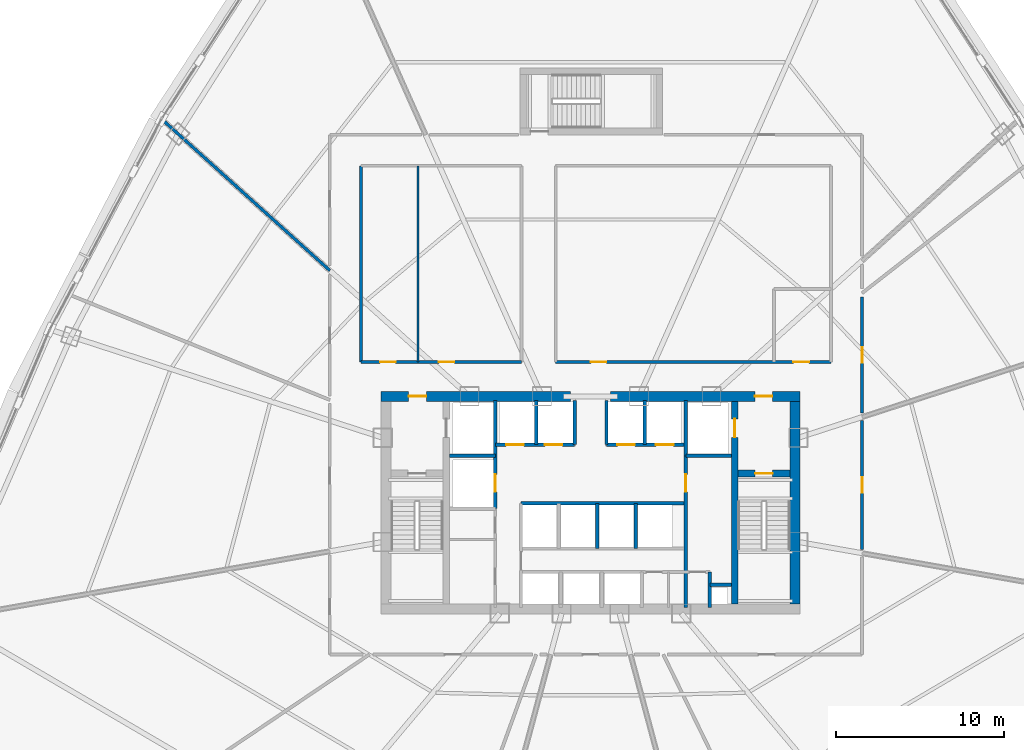
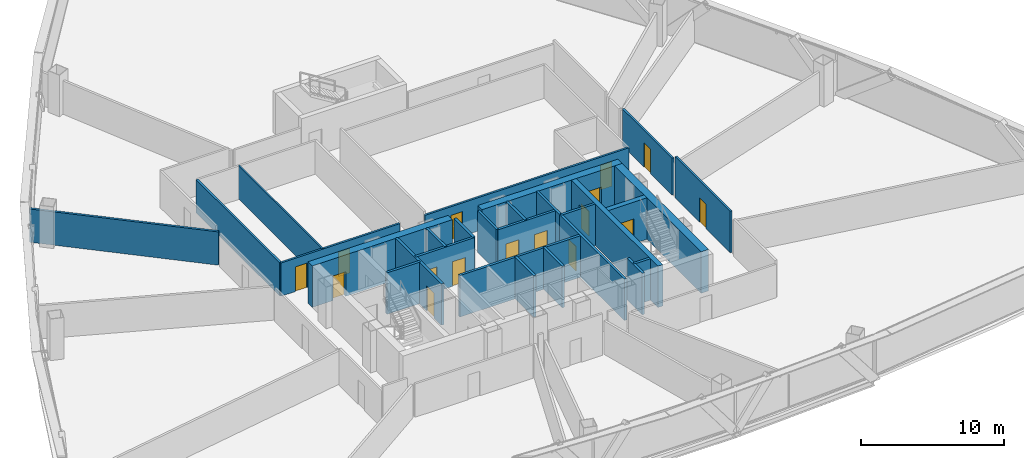
# One storey, part 35 of 41: 28 walls, 16 doors, 16 openings.
"""IFC4 building model written with IfcOpenShell, lengths in metres."""

import ifcopenshell
import ifcopenshell.guid

model = None  # the IFC model being written
_history = None  # IfcOwnerHistory: only IFC2X3 demands one
_inside = {}  # id of a spatial element -> (the spatial element, [elements in it])
_under = {}  # id of a project, library or spatial element -> (it, [spatial elements below it])
_declared = {}  # id of a project -> (the project, [libraries it declares])
_typed = {}  # id of a type object -> (the type object, [elements of that type])
_made_of = {}  # id of a material, layer set ... -> (it, [elements and type objects made of it])


def new_model(schema):
    """Start an empty IFC model of exactly this schema.

    Asked for "IFC4X3", IfcOpenShell would pick the latest addendum, in which some entities
    have other attributes; the version numbers below select the first issue.
    IFC2X3 requires an IfcOwnerHistory on every rooted entity: one is made here for all.
    """
    global model, _history
    if schema == "IFC4X3":
        model = ifcopenshell.file(schema_version=(4, 3, 0, 0))
    else:
        model = ifcopenshell.file(schema=schema)
    _inside.clear()
    _under.clear()
    _declared.clear()
    _typed.clear()
    _made_of.clear()
    _history = None
    if model.schema == "IFC2X3":
        org = make("IfcOrganization", Name="unknown")
        user = make(
            "IfcPersonAndOrganization",
            ThePerson=make("IfcPerson", FamilyName="unknown"),
            TheOrganization=org,
        )
        app = make(
            "IfcApplication",
            ApplicationDeveloper=org,
            Version="unknown",
            ApplicationFullName="unknown",
            ApplicationIdentifier="unknown",
        )
        _history = make(
            "IfcOwnerHistory",
            OwningUser=user,
            OwningApplication=app,
            ChangeAction="ADDED",
            CreationDate=0,
        )
    return model


def make(cls, **values):
    """One entity of the class cls with the attributes given. An attribute that is None is left unset."""
    return model.create_entity(
        cls, **{name: value for name, value in values.items() if value is not None}
    )


def rooted(cls, **values):
    """An entity with a GlobalId (a new one), such as an element, a storey or a relation."""
    return make(cls, GlobalId=ifcopenshell.guid.new(), OwnerHistory=_history, **values)


def si_unit(unit_type, name, prefix=None):
    """IfcSIUnit, for example si_unit("LENGTHUNIT", "METRE", prefix="MILLI")."""
    return make("IfcSIUnit", UnitType=unit_type, Prefix=prefix, Name=name)


def assignment(units):
    """IfcUnitAssignment: the units of a project."""
    return None if units is None else make("IfcUnitAssignment", Units=units)


def point(xyz):
    """IfcCartesianPoint."""
    return None if xyz is None else make("IfcCartesianPoint", Coordinates=xyz)


def direction(xyz):
    """IfcDirection."""
    return None if xyz is None else make("IfcDirection", DirectionRatios=xyz)


def frame(location, z_axis=None, x_axis=None):
    """IfcAxis2Placement3D, a coordinate frame: its origin and axes. An axis left out is left unset."""
    return make(
        "IfcAxis2Placement3D",
        Location=point(location),
        Axis=direction(z_axis),
        RefDirection=direction(x_axis),
    )


def frame_2d(location, x_axis=None):
    """IfcAxis2Placement2D, a coordinate frame in the plane: its origin and x axis."""
    return make(
        "IfcAxis2Placement2D", Location=point(location), RefDirection=direction(x_axis)
    )


def origin():
    """The frame at (0, 0, 0) with its axes left unset."""
    return frame((0.0, 0.0, 0.0))


def origin_with_axes():
    """The frame at (0, 0, 0) with the z axis (0, 0, 1) and the x axis (1, 0, 0) written out."""
    return frame((0.0, 0.0, 0.0), z_axis=(0.0, 0.0, 1.0), x_axis=(1.0, 0.0, 0.0))


def place(relative_to, where):
    """IfcLocalPlacement: puts the frame where relative to a parent placement (None: the world)."""
    return make(
        "IfcLocalPlacement", PlacementRelTo=relative_to, RelativePlacement=where
    )


def context(
    kind, dimensions, precision=None, world=None, true_north=None, identifier=None
):
    """IfcGeometricRepresentationContext, for example the 3D "Model" context."""
    return make(
        "IfcGeometricRepresentationContext",
        ContextIdentifier=identifier,
        ContextType=kind,
        CoordinateSpaceDimension=dimensions,
        Precision=precision,
        WorldCoordinateSystem=world,
        TrueNorth=true_north,
    )


def subcontext(parent, identifier, kind, view, scale=None):
    """IfcGeometricRepresentationSubContext, for example "Body" below "Model"."""
    return make(
        "IfcGeometricRepresentationSubContext",
        ContextIdentifier=identifier,
        ContextType=kind,
        ParentContext=parent,
        TargetScale=scale,
        TargetView=view,
    )


def project(units=None, contexts=None):
    """IfcProject with its units and contexts."""
    return rooted(
        "IfcProject",
        Name="project",
        RepresentationContexts=contexts,
        UnitsInContext=assignment(units),
    )


def spatial(cls, under=None, at=None, **own):
    """A site, building, storey or space (cls), placed at a placement, below another one or the project."""
    s = rooted(cls, ObjectPlacement=at, **own)
    if under is not None:
        _under.setdefault(under.id(), (under, []))[1].append(s)
    return s


def profile(cls, at=None, kind="AREA", **sizes):
    """A parametric profile (cls). Its sizes go by their IFC names, for example OverallWidth=200.0."""
    return make(cls, ProfileType=kind, Position=at, **sizes)


def rectangle(**sizes):
    """IfcRectangleProfileDef."""
    return profile("IfcRectangleProfileDef", **sizes)


def extrude(swept, where, along, depth):
    """IfcExtrudedAreaSolid: the profile swept, set in the frame where, extruded along a direction by depth."""
    return make(
        "IfcExtrudedAreaSolid",
        SweptArea=swept,
        Position=where,
        ExtrudedDirection=direction(along),
        Depth=depth,
    )


def shape(context_of_items, identifier, shape_type, items):
    """IfcShapeRepresentation: the items that make up one representation, for example the "Body"."""
    return make(
        "IfcShapeRepresentation",
        ContextOfItems=context_of_items,
        RepresentationIdentifier=identifier,
        RepresentationType=shape_type,
        Items=items,
    )


def source(mapping_origin, context_of_items, identifier, shape_type, items):
    """IfcRepresentationMap: a shape defined once, which mapped items show again and again."""
    return make(
        "IfcRepresentationMap",
        MappingOrigin=mapping_origin,
        MappedRepresentation=shape(context_of_items, identifier, shape_type, items),
    )


def transform(
    local_origin,
    x_axis=None,
    y_axis=None,
    z_axis=None,
    scale=None,
    scale2=None,
    scale3=None,
    uniform=True,
):
    """IfcCartesianTransformationOperator3D, or its non-uniform kind. x_axis, y_axis, z_axis: its Axis1, 2, 3."""
    if uniform:
        return make(
            "IfcCartesianTransformationOperator3D",
            Axis1=direction(x_axis),
            Axis2=direction(y_axis),
            LocalOrigin=point(local_origin),
            Scale=scale,
            Axis3=direction(z_axis),
        )
    return make(
        "IfcCartesianTransformationOperator3DnonUniform",
        Axis1=direction(x_axis),
        Axis2=direction(y_axis),
        LocalOrigin=point(local_origin),
        Scale=scale,
        Axis3=direction(z_axis),
        Scale2=scale2,
        Scale3=scale3,
    )


def mapped(mapping_source, mapping_target):
    """IfcMappedItem: shows the shape of a source again, moved by a transform."""
    return make(
        "IfcMappedItem", MappingSource=mapping_source, MappingTarget=mapping_target
    )


def material(Name=None, Category=None):
    """IfcMaterial."""
    return make("IfcMaterial", Name=Name, Category=Category)


def layer(
    of_material, thickness, ventilated=None, Name=None, Category=None, Priority=None
):
    """IfcMaterialLayer: one layer of a wall or slab, of a material (None: an air gap)."""
    return make(
        "IfcMaterialLayer",
        Material=of_material,
        LayerThickness=thickness,
        IsVentilated=ventilated,
        Name=Name,
        Category=Category,
        Priority=Priority,
    )


def layer_set(layers, Name=None):
    """IfcMaterialLayerSet."""
    return make("IfcMaterialLayerSet", MaterialLayers=layers, LayerSetName=Name)


def made_of(thing, what):
    """Note that an element or type object is made of a material, layer set ...; save() writes the relation."""
    if what is not None:
        _made_of.setdefault(what.id(), (what, []))[1].append(thing)
    return thing


def type_object(cls, material=None, **own):
    """A type object (cls), such as IfcWallType, which elements share."""
    return made_of(rooted(cls, **own), material)


def element(
    cls,
    number,
    at=None,
    inside=None,
    cuts=None,
    type_object=None,
    material=None,
    context=None,
    identifier="Body",
    shape_type=None,
    held_by="IfcProductDefinitionShape",
    body=None,
    shapes=None,
    **own,
):
    """One element of the class cls, such as IfcWall. Its Tag is "e" and its number.

    at: its placement. inside: the storey or other place that contains it. cuts: it is an
    opening in that element (IfcRelVoidsElement). A single representation is given by context,
    identifier, shape_type and body (its items); several are given by shapes. held_by: the class
    of the entity that holds the representations. save() writes the other relations.
    """
    e = rooted(cls, Tag="e%d" % number, ObjectPlacement=at, **own)
    if body is not None:
        shapes = [shape(context, identifier, shape_type, body)]
    if shapes is not None:
        e.Representation = make(held_by, Representations=shapes)
    if inside is not None:
        _inside.setdefault(inside.id(), (inside, []))[1].append(e)
    if cuts is not None:
        rooted(
            "IfcRelVoidsElement", RelatingBuildingElement=cuts, RelatedOpeningElement=e
        )
    if type_object is not None:
        _typed.setdefault(type_object.id(), (type_object, []))[1].append(e)
    return made_of(e, material)


def fill(opening, filler):
    """IfcRelFillsElement: the door or window that sits in an opening."""
    return rooted(
        "IfcRelFillsElement",
        RelatingOpeningElement=opening,
        RelatedBuildingElement=filler,
    )


def aggregate(whole, parts):
    """IfcRelAggregates: a whole, such as a stair, and the parts it consists of."""
    return rooted("IfcRelAggregates", RelatingObject=whole, RelatedObjects=parts)


def save(model, path):
    """Write the relations noted so far, then the file.

    IfcRelAggregates (storeys below a building ...), IfcRelContainedInSpatialStructure (elements
    in a storey), IfcRelDefinesByType, IfcRelAssociatesMaterial and IfcRelDeclares: one each for
    every whole, place, type object, material and project.
    """
    for whole, parts in _under.values():
        aggregate(whole, parts)
    for where, things in _inside.values():
        rooted(
            "IfcRelContainedInSpatialStructure",
            RelatedElements=things,
            RelatingStructure=where,
        )
    for kind, things in _typed.values():
        rooted("IfcRelDefinesByType", RelatedObjects=things, RelatingType=kind)
    for what, things in _made_of.values():
        rooted("IfcRelAssociatesMaterial", RelatedObjects=things, RelatingMaterial=what)
    for by, libraries in _declared.values():
        rooted("IfcRelDeclares", RelatingContext=by, RelatedDefinitions=libraries)
    model.write(path)


model = new_model("IFC4")

# Units and contexts
model_context = context("Model", 3, precision=1e-05, world=origin(), true_north=direction((0.0, 1.0)))
body_context = subcontext(model_context, "Body", "Model", "MODEL_VIEW")
ifc_project = project(units=[si_unit("LENGTHUNIT", "METRE"), si_unit("AREAUNIT", "SQUARE_METRE"), si_unit("VOLUMEUNIT", "CUBIC_METRE"), si_unit("PLANEANGLEUNIT", "RADIAN"), si_unit("MASSUNIT", "GRAM", prefix="KILO"), si_unit("THERMODYNAMICTEMPERATUREUNIT", "KELVIN"), si_unit("POWERUNIT", "WATT")], contexts=[model_context])

# Site, building, storey
site_placement = place(None, origin())
site = spatial("IfcSite", under=ifc_project, at=site_placement, CompositionType="ELEMENT")
building_placement = place(site_placement, origin())
building = spatial("IfcBuilding", under=site, at=building_placement, Name="Yunzhuo Pagoda Commons", CompositionType="ELEMENT")
storey_placement = place(building_placement, frame((0.0, 0.0, 111.580078125)))
storey = spatial("IfcBuildingStorey", under=building, at=storey_placement, Name="L28", CompositionType="ELEMENT", Elevation=111.580078125)

# Wall, opening, door
ifc_material_1 = material(Name="Concrete C60", Category="concrete")
ifc_layer_1 = layer(ifc_material_1, 0.60009765625)
ifc_layer_set_1 = layer_set([ifc_layer_1], Name="Concrete C60")
wall_type_1 = type_object("IfcWallType", Name="W-C02 Mid Core Shear Wall 600", PredefinedType="SHEAR", material=ifc_layer_set_1)
wall_1_placement = place(storey_placement, frame((35.5, 40.199951171875, 0.0), z_axis=(0.0, 0.0, 1.0), x_axis=(1.0, 0.0, 0.0)))
wall_1 = element("IfcWall", 1, at=wall_1_placement, inside=storey, type_object=wall_type_1, Name="L28 core shear wall NW", PredefinedType="SHEAR", context=body_context, shape_type="SweptSolid", body=[
    extrude(rectangle(XDim=11.300048828125, YDim=0.60009765625, at=frame_2d((5.64990234375, 0.0))), origin(), (0.0, 0.0, 1.0), 3.5400390625),
])
opening_1_placement = place(wall_1_placement, frame((1.64990234375, 0.0, 0.0)))
opening_1 = element("IfcOpeningElement", 2, at=opening_1_placement, cuts=wall_1, Name="Opening D-02", PredefinedType="OPENING", context=body_context, shape_type="SweptSolid", body=[
    extrude(rectangle(XDim=1.050048828125, YDim=2.10009765625, at=frame_2d((0.52490234375, 1.050048828125))), frame((0.0, 0.31005859375, 0.0), z_axis=(0.0, -1.0, 0.0), x_axis=(1.0, 0.0, 0.0)), (0.0, 0.0, 1.0), 0.6201171875),
])
ifc_material_2 = material(Name="Galvanized fire-resisting metal leaf")
door_type_1 = type_object("IfcDoorType", Name="D-02 Firefighting Lobby & Refuge Fire Door 1050x2100", OperationType="NOTDEFINED", PredefinedType="DOOR", material=ifc_material_2)
shared_shape_1 = source(origin(), body_context, "Body", "SweptSolid", [
    extrude(rectangle(XDim=1.050048828125, YDim=2.10009765625, at=frame_2d((0.52490234375, 1.050048828125))), frame((0.0, 0.02490234375, 0.0), z_axis=(0.0, -1.0, 0.0), x_axis=(1.0, 0.0, 0.0)), (0.0, 0.0, 1.0), 0.050048828125),
])
door_1_placement = place(opening_1_placement, frame((1.050048828125, 0.0, 0.0), z_axis=(0.0, 0.0, 1.0), x_axis=(-1.0, 0.0, 0.0)))
door_1 = element("IfcDoor", 3, at=door_1_placement, inside=storey, type_object=door_type_1, Name="L28 Firefighting Lobby 1 fire door", OperationType="SINGLE_SWING_LEFT", OverallHeight=2.10009765625, OverallWidth=1.050048828125, PredefinedType="DOOR", context=body_context, shape_type="MappedRepresentation", body=[
    mapped(shared_shape_1, transform((0.0, 0.0, 0.0), scale=1.0)),
])
fill(opening_1, door_1)

wall_2_placement = place(storey_placement, frame((49.199951171875, 40.199951171875, 0.0), z_axis=(0.0, 0.0, 1.0), x_axis=(1.0, 0.0, 0.0)))
wall_2 = element("IfcWall", 4, at=wall_2_placement, inside=storey, type_object=wall_type_1, Name="L28 core shear wall NE", PredefinedType="SHEAR", context=body_context, shape_type="SweptSolid", body=[
    extrude(rectangle(XDim=11.300048828125, YDim=0.60009765625, at=frame_2d((5.64990234375, 0.0))), origin(), (0.0, 0.0, 1.0), 3.5400390625),
])
opening_2_placement = place(wall_2_placement, frame((8.60009765625, 0.0, 0.0)))
opening_2 = element("IfcOpeningElement", 5, at=opening_2_placement, cuts=wall_2, Name="Opening D-02", PredefinedType="OPENING", context=body_context, shape_type="SweptSolid", body=[
    extrude(rectangle(XDim=1.050048828125, YDim=2.10009765625, at=frame_2d((0.52490234375, 1.050048828125))), frame((0.0, 0.31005859375, 0.0), z_axis=(0.0, -1.0, 0.0), x_axis=(1.0, 0.0, 0.0)), (0.0, 0.0, 1.0), 0.6201171875),
])
door_2_placement = place(opening_2_placement, frame((1.050048828125, 0.0, 0.0), z_axis=(0.0, 0.0, 1.0), x_axis=(-1.0, 0.0, 0.0)))
door_2 = element("IfcDoor", 6, at=door_2_placement, inside=storey, type_object=door_type_1, Name="L28 Firefighting Lobby 2 fire door", OperationType="SINGLE_SWING_RIGHT", OverallHeight=2.10009765625, OverallWidth=1.050048828125, PredefinedType="DOOR", context=body_context, shape_type="MappedRepresentation", body=[
    mapped(shared_shape_1, transform((0.0, 0.0, 0.0), scale=1.0)),
])
fill(opening_2, door_2)

# Wall
wall_3_placement = place(storey_placement, frame((60.199951171875, 27.800048828125, 0.0), z_axis=(0.0, 0.0, 1.0), x_axis=(0.0, 1.0, 0.0)))
element("IfcWall", 7, at=wall_3_placement, inside=storey, type_object=wall_type_1, Name="L28 core shear wall E", PredefinedType="SHEAR", context=body_context, shape_type="SweptSolid", body=[
    extrude(rectangle(XDim=12.099853515625, YDim=0.60009765625, at=frame_2d((6.0498046875, 0.0))), origin(), (0.0, 0.0, 1.0), 3.5400390625),
])

# Wall, openings, doors
ifc_material_3 = material(Name="Gypsum plasterboard on acoustic stud")
ifc_layer_2 = layer(ifc_material_3, 0.159912109375)
ifc_layer_set_2 = layer_set([ifc_layer_2], Name="Gypsum plasterboard on acoustic stud")
wall_type_2 = type_object("IfcWallType", Name="W-COR1 Tower Rated Corridor Wall 160", PredefinedType="PARTITIONING", material=ifc_layer_set_2)
wall_4_placement = place(storey_placement, frame((34.300048828125, 42.25, 0.0), z_axis=(0.0, 0.0, 1.0), x_axis=(1.0, 0.0, 0.0)))
wall_4 = element("IfcWall", 8, at=wall_4_placement, inside=storey, type_object=wall_type_2, Name="L28 interior wall IW-L28-ISLWS", PredefinedType="PARTITIONING", context=body_context, shape_type="SweptSolid", body=[
    extrude(rectangle(XDim=9.579833984375, YDim=0.159912109375, at=frame_2d((4.7900390625, 0.0))), origin(), (0.0, 0.0, 1.0), 2.83984375),
])
opening_3_placement = place(wall_4_placement, frame((1.14990234375, 0.0, 0.0)))
opening_3 = element("IfcOpeningElement", 9, at=opening_3_placement, cuts=wall_4, Name="Opening D-04", PredefinedType="OPENING", context=body_context, shape_type="SweptSolid", body=[
    extrude(rectangle(XDim=0.919921875, YDim=2.10009765625, at=frame_2d((0.4599609375, 1.050048828125))), frame((0.0, 0.08984375, 0.0), z_axis=(0.0, -1.0, 0.0), x_axis=(1.0, 0.0, 0.0)), (0.0, 0.0, 1.0), 0.179931640625),
])
opening_4_placement = place(wall_4_placement, frame((4.64990234375, 0.0, 0.0)))
opening_4 = element("IfcOpeningElement", 10, at=opening_4_placement, cuts=wall_4, Name="Opening D-04", PredefinedType="OPENING", context=body_context, shape_type="SweptSolid", body=[
    extrude(rectangle(XDim=0.919921875, YDim=2.10009765625, at=frame_2d((0.4599609375, 1.050048828125))), frame((0.0, 0.08984375, 0.0), z_axis=(0.0, -1.0, 0.0), x_axis=(1.0, 0.0, 0.0)), (0.0, 0.0, 1.0), 0.179931640625),
])
ifc_material_4 = material(Name="Powder-coated aluminium and timber acoustic leaf", Category="wood")
door_type_2 = type_object("IfcDoorType", Name="D-04 Bedroom & Study Interior Door 920x2100", OperationType="NOTDEFINED", PredefinedType="DOOR", material=ifc_material_4)
shared_shape_2 = source(origin(), body_context, "Body", "SweptSolid", [
    extrude(rectangle(XDim=0.919921875, YDim=2.10009765625, at=frame_2d((0.4599609375, 1.050048828125))), frame((0.0, 0.02490234375, 0.0), z_axis=(0.0, -1.0, 0.0), x_axis=(1.0, 0.0, 0.0)), (0.0, 0.0, 1.0), 0.050048828125),
])
door_3_placement = place(opening_3_placement, frame((0.919921875, 0.0, 0.0), z_axis=(0.0, 0.0, 1.0), x_axis=(-1.0, 0.0, 0.0)))
door_3 = element("IfcDoor", 11, at=door_3_placement, inside=storey, type_object=door_type_2, Name="L28 laundry door", OperationType="SINGLE_SWING_LEFT", OverallHeight=2.10009765625, OverallWidth=0.919921875, PredefinedType="DOOR", context=body_context, shape_type="MappedRepresentation", body=[
    mapped(shared_shape_2, transform((0.0, 0.0, 0.0), scale=1.0)),
])
fill(opening_3, door_3)
door_4_placement = place(opening_4_placement, frame((0.919921875, 0.0, 0.0), z_axis=(0.0, 0.0, 1.0), x_axis=(-1.0, 0.0, 0.0)))
door_4 = element("IfcDoor", 12, at=door_4_placement, inside=storey, type_object=door_type_2, Name="L28 study commons W door", OperationType="SINGLE_SWING_RIGHT", OverallHeight=2.10009765625, OverallWidth=0.919921875, PredefinedType="DOOR", context=body_context, shape_type="MappedRepresentation", body=[
    mapped(shared_shape_2, transform((0.0, 0.0, 0.0), scale=1.0)),
])
fill(opening_4, door_4)

# Wall
wall_5_placement = place(storey_placement, frame((34.300048828125, 42.25, 0.0), z_axis=(0.0, 0.0, 1.0), x_axis=(0.0, 1.0, 0.0)))
element("IfcWall", 13, at=wall_5_placement, inside=storey, type_object=wall_type_2, Name="L28 interior wall IW-L28-ISLWW", PredefinedType="PARTITIONING", context=body_context, shape_type="SweptSolid", body=[
    extrude(rectangle(XDim=11.699951171875, YDim=0.159912109375, at=frame_2d((5.85009765625, 0.0))), origin(), (0.0, 0.0, 1.0), 2.83984375),
])

# Wall, openings, doors
wall_6_placement = place(storey_placement, frame((45.919921875, 42.25, 0.0), z_axis=(0.0, 0.0, 1.0), x_axis=(1.0, 0.0, 0.0)))
wall_6 = element("IfcWall", 14, at=wall_6_placement, inside=storey, type_object=wall_type_2, Name="L28 interior wall IW-L28-ISLES", PredefinedType="PARTITIONING", context=body_context, shape_type="SweptSolid", body=[
    extrude(rectangle(XDim=16.43017578125, YDim=0.159912109375, at=frame_2d((8.215087890625, 0.0))), origin(), (0.0, 0.0, 1.0), 2.83984375),
])
opening_5_placement = place(wall_6_placement, frame((2.10009765625, 0.0, 0.0)))
opening_5 = element("IfcOpeningElement", 15, at=opening_5_placement, cuts=wall_6, Name="Opening D-04", PredefinedType="OPENING", context=body_context, shape_type="SweptSolid", body=[
    extrude(rectangle(XDim=0.919921875, YDim=2.10009765625, at=frame_2d((0.4599609375, 1.050048828125))), frame((0.0, 0.08984375, 0.0), z_axis=(0.0, -1.0, 0.0), x_axis=(1.0, 0.0, 0.0)), (0.0, 0.0, 1.0), 0.179931640625),
])
opening_6_placement = place(wall_6_placement, frame((14.179931640625, 0.0, 0.0)))
opening_6 = element("IfcOpeningElement", 16, at=opening_6_placement, cuts=wall_6, Name="Opening D-11", PredefinedType="OPENING", context=body_context, shape_type="SweptSolid", body=[
    extrude(rectangle(XDim=0.93994140625, YDim=2.10009765625, at=frame_2d((0.469970703125, 1.050048828125))), frame((0.0, 0.08984375, 0.0), z_axis=(0.0, -1.0, 0.0), x_axis=(1.0, 0.0, 0.0)), (0.0, 0.0, 1.0), 0.179931640625),
])
door_type_3 = type_object("IfcDoorType", Name="D-11 Accessible Washroom Fire Door 940x2100", OperationType="NOTDEFINED", PredefinedType="DOOR", material=ifc_material_2)
shared_shape_3 = source(origin(), body_context, "Body", "SweptSolid", [
    extrude(rectangle(XDim=0.93994140625, YDim=2.10009765625, at=frame_2d((0.469970703125, 1.050048828125))), frame((0.0, 0.02490234375, 0.0), z_axis=(0.0, -1.0, 0.0), x_axis=(1.0, 0.0, 0.0)), (0.0, 0.0, 1.0), 0.050048828125),
])
door_5_placement = place(opening_6_placement, frame((0.93994140625, 0.0, 0.0), z_axis=(0.0, 0.0, 1.0), x_axis=(-1.0, 0.0, 0.0)))
door_5 = element("IfcDoor", 17, at=door_5_placement, inside=storey, type_object=door_type_3, Name="L28 accessible WC door", OperationType="SINGLE_SWING_RIGHT", OverallHeight=2.10009765625, OverallWidth=0.93994140625, PredefinedType="DOOR", context=body_context, shape_type="MappedRepresentation", body=[
    mapped(shared_shape_3, transform((0.0, 0.0, 0.0), scale=1.0)),
])
fill(opening_6, door_5)
door_6_placement = place(opening_5_placement, frame((0.919921875, 0.0, 0.0), z_axis=(0.0, 0.0, 1.0), x_axis=(-1.0, 0.0, 0.0)))
door_6 = element("IfcDoor", 18, at=door_6_placement, inside=storey, type_object=door_type_2, Name="L28 reading commons door", OperationType="SINGLE_SWING_LEFT", OverallHeight=2.10009765625, OverallWidth=0.919921875, PredefinedType="DOOR", context=body_context, shape_type="MappedRepresentation", body=[
    mapped(shared_shape_2, transform((0.0, 0.0, 0.0), scale=1.0)),
])
fill(opening_5, door_6)

# Wall, opening, door
wall_7_placement = place(storey_placement, frame((64.199951171875, 46.136962890625, 0.0), z_axis=(0.0, 0.0, 1.0), x_axis=(0.0, -1.0, 0.0)))
wall_7 = element("IfcWall", 19, at=wall_7_placement, inside=storey, type_object=wall_type_2, Name="L28 interior wall IW-L28-CWL10", PredefinedType="PARTITIONING", context=body_context, shape_type="SweptSolid", body=[
    extrude(rectangle(XDim=6.94189453125, YDim=0.159912109375, at=frame_2d((3.470947265625, 0.0))), origin(), (0.0, 0.0, 1.0), 3.139892578125),
])
opening_7_placement = place(wall_7_placement, frame((3.0166015625, 0.0, 0.0)))
opening_7 = element("IfcOpeningElement", 20, at=opening_7_placement, cuts=wall_7, Name="Opening D-04", PredefinedType="OPENING", context=body_context, shape_type="SweptSolid", body=[
    extrude(rectangle(XDim=0.919921875, YDim=2.10009765625, at=frame_2d((0.4599609375, 1.050048828125))), frame((0.0, 0.08984375, 0.0), z_axis=(0.0, -1.0, 0.0), x_axis=(1.0, 0.0, 0.0)), (0.0, 0.0, 1.0), 0.179931640625),
])
door_7_placement = place(opening_7_placement, origin_with_axes())
door_7 = element("IfcDoor", 21, at=door_7_placement, inside=storey, type_object=door_type_2, Name="L28 seminar room 02 door", OperationType="SINGLE_SWING_LEFT", OverallHeight=2.10009765625, OverallWidth=0.919921875, PredefinedType="DOOR", context=body_context, shape_type="MappedRepresentation", body=[
    mapped(shared_shape_2, transform((0.0, 0.0, 0.0), scale=1.0)),
])
fill(opening_7, door_7)

wall_8_placement = place(storey_placement, frame((64.199951171875, 38.743896484375, 0.0), z_axis=(0.0, 0.0, 1.0), x_axis=(0.0, -1.0, 0.0)))
wall_8 = element("IfcWall", 22, at=wall_8_placement, inside=storey, type_object=wall_type_2, Name="L28 interior wall IW-L28-CWL11", PredefinedType="PARTITIONING", context=body_context, shape_type="SweptSolid", body=[
    extrude(rectangle(XDim=7.6806640625, YDim=0.159912109375, at=frame_2d((3.84033203125, 0.0))), origin(), (0.0, 0.0, 1.0), 3.5400390625),
])
opening_8_placement = place(wall_8_placement, frame((3.38037109375, 0.0, 0.0)))
opening_8 = element("IfcOpeningElement", 23, at=opening_8_placement, cuts=wall_8, Name="Opening D-04", PredefinedType="OPENING", context=body_context, shape_type="SweptSolid", body=[
    extrude(rectangle(XDim=0.919921875, YDim=2.10009765625, at=frame_2d((0.4599609375, 1.050048828125))), frame((0.0, 0.08984375, 0.0), z_axis=(0.0, -1.0, 0.0), x_axis=(1.0, 0.0, 0.0)), (0.0, 0.0, 1.0), 0.179931640625),
])
door_8_placement = place(opening_8_placement, origin_with_axes())
door_8 = element("IfcDoor", 24, at=door_8_placement, inside=storey, type_object=door_type_2, Name="L28 seminar room 01 door", OperationType="SINGLE_SWING_RIGHT", OverallHeight=2.10009765625, OverallWidth=0.919921875, PredefinedType="DOOR", context=body_context, shape_type="MappedRepresentation", body=[
    mapped(shared_shape_2, transform((0.0, 0.0, 0.0), scale=1.0)),
])
fill(opening_8, door_8)

# Walls
ifc_layer_3 = layer(ifc_material_3, 0.1201171875)
ifc_layer_set_3 = layer_set([ifc_layer_3], Name="Gypsum plasterboard on acoustic stud")
wall_type_3 = type_object("IfcWallType", Name="W-PRT1 Suite & Bathroom Partition 120", PredefinedType="PARTITIONING", material=ifc_layer_set_3)
wall_9_placement = place(storey_placement, frame((37.699951171875, 42.25, 0.0), z_axis=(0.0, 0.0, 1.0), x_axis=(0.0, 1.0, 0.0)))
element("IfcWall", 25, at=wall_9_placement, inside=storey, type_object=wall_type_3, Name="L28 interior wall IW-L28-ISLW1", PredefinedType="PARTITIONING", context=body_context, shape_type="SweptSolid", body=[
    extrude(rectangle(XDim=11.699951171875, YDim=0.1201171875, at=frame_2d((5.85009765625, 0.0))), origin(), (0.0, 0.0, 1.0), 2.83984375),
])
ifc_layer_4 = layer(ifc_material_3, 0.179931640625)
ifc_layer_set_4 = layer_set([ifc_layer_4], Name="Gypsum plasterboard on acoustic stud")
wall_type_4 = type_object("IfcWallType", Name="W-PRT2 Acoustic Unit Demising Wall 180", PredefinedType="PARTITIONING", material=ifc_layer_set_4)
wall_10_placement = place(storey_placement, frame((32.449951171875, 47.701416015625, 0.0), z_axis=(0.0, 0.0, 1.0), x_axis=(-0.743139607037, 0.669136401979, 0.0)))
element("IfcWall", 26, at=wall_10_placement, inside=storey, type_object=wall_type_4, Name="L28 interior wall IW-L28-RAD05", PredefinedType="PARTITIONING", context=body_context, shape_type="SweptSolid", body=[
    extrude(rectangle(XDim=13.512939453125, YDim=0.179931640625, at=frame_2d((6.75634765625, 0.0))), origin(), (0.0, 0.0, 1.0), 2.83984375),
])

# Wall, opening, door
ifc_layer_5 = layer(ifc_material_1, 0.39990234375)
ifc_layer_set_5 = layer_set([ifc_layer_5], Name="Concrete C60")
wall_type_5 = type_object("IfcWallType", Name="W-S01 Internal Core Shear Web 400", PredefinedType="SHEAR", material=ifc_layer_set_5)
wall_11_placement = place(storey_placement, frame((56.60009765625, 27.800048828125, 0.0), z_axis=(0.0, 0.0, 1.0), x_axis=(0.0, 1.0, 0.0)))
wall_11 = element("IfcWall", 27, at=wall_11_placement, inside=storey, type_object=wall_type_5, Name="L28 core shear wall WEBE", PredefinedType="SHEAR", context=body_context, shape_type="SweptSolid", body=[
    extrude(rectangle(XDim=12.099853515625, YDim=0.39990234375, at=frame_2d((6.0498046875, 0.0))), origin(), (0.0, 0.0, 1.0), 3.5400390625),
])
opening_9_placement = place(wall_11_placement, frame((9.949951171875, 0.0, 0.0)))
opening_9 = element("IfcOpeningElement", 28, at=opening_9_placement, cuts=wall_11, Name="Opening LD-01", PredefinedType="OPENING", context=body_context, shape_type="SweptSolid", body=[
    extrude(rectangle(XDim=1.10009765625, YDim=2.10009765625, at=frame_2d((0.550048828125, 1.050048828125))), frame((0.0, 0.2099609375, 0.0), z_axis=(0.0, -1.0, 0.0), x_axis=(1.0, 0.0, 0.0)), (0.0, 0.0, 1.0), 0.419921875),
])
door_type_4 = type_object("IfcDoorType", Name="LD-01 Firefighting Lift Landing Door 1100x2100", OperationType="DOUBLE_DOOR_SLIDING", PredefinedType="DOOR", material=ifc_material_2)
shared_shape_4 = source(origin(), body_context, "Body", "SweptSolid", [
    extrude(rectangle(XDim=1.10009765625, YDim=2.10009765625, at=frame_2d((0.550048828125, 1.050048828125))), frame((0.0, 0.02490234375, 0.0), z_axis=(0.0, -1.0, 0.0), x_axis=(1.0, 0.0, 0.0)), (0.0, 0.0, 1.0), 0.050048828125),
])
door_9_placement = place(opening_9_placement, origin_with_axes())
door_9 = element("IfcDoor", 29, at=door_9_placement, inside=storey, type_object=door_type_4, Name="L28 Firefighting lift FL-2 landing door", OperationType="DOUBLE_DOOR_SLIDING", OverallHeight=2.10009765625, OverallWidth=1.10009765625, PredefinedType="DOOR", context=body_context, shape_type="MappedRepresentation", body=[
    mapped(shared_shape_4, transform((0.0, 0.0, 0.0), scale=1.0)),
])
fill(opening_9, door_9)

wall_12_placement = place(storey_placement, frame((56.800048828125, 35.60009765625, 0.0), z_axis=(0.0, 0.0, 1.0), x_axis=(1.0, 0.0, 0.0)))
wall_12 = element("IfcWall", 30, at=wall_12_placement, inside=storey, type_object=wall_type_5, Name="L28 core shear wall STE", PredefinedType="SHEAR", context=body_context, shape_type="SweptSolid", body=[
    extrude(rectangle(XDim=3.099853515625, YDim=0.39990234375, at=frame_2d((1.5498046875, 0.0))), origin(), (0.0, 0.0, 1.0), 3.5400390625),
])
opening_10_placement = place(wall_12_placement, frame((1.02001953125, 0.0, 0.0)))
opening_10 = element("IfcOpeningElement", 31, at=opening_10_placement, cuts=wall_12, Name="Opening D-01", PredefinedType="OPENING", context=body_context, shape_type="SweptSolid", body=[
    extrude(rectangle(XDim=1.050048828125, YDim=2.10009765625, at=frame_2d((0.52490234375, 1.050048828125))), frame((0.0, 0.2099609375, 0.0), z_axis=(0.0, -1.0, 0.0), x_axis=(1.0, 0.0, 0.0)), (0.0, 0.0, 1.0), 0.419921875),
])
door_type_5 = type_object("IfcDoorType", Name="D-01 Smokeproof Stair Fire Door 1050x2100", OperationType="NOTDEFINED", PredefinedType="DOOR", material=ifc_material_2)
door_10_placement = place(opening_10_placement, frame((1.050048828125, 0.0, 0.0), z_axis=(0.0, 0.0, 1.0), x_axis=(-1.0, 0.0, 0.0)))
door_10 = element("IfcDoor", 32, at=door_10_placement, inside=storey, type_object=door_type_5, Name="L28 Stair ST2 fire door", OperationType="SINGLE_SWING_RIGHT", OverallHeight=2.10009765625, OverallWidth=1.050048828125, PredefinedType="DOOR", context=body_context, shape_type="MappedRepresentation", body=[
    mapped(shared_shape_1, transform((0.0, 0.0, 0.0), scale=1.0)),
])
fill(opening_10, door_10)

ifc_material_5 = material(Name="Concrete C40", Category="concrete")
ifc_layer_6 = layer(ifc_material_5, 0.199951171875)
ifc_layer_set_6 = layer_set([ifc_layer_6], Name="Concrete C40")
wall_type_6 = type_object("IfcWallType", Name="W-SHF Shaft & Stair Enclosure Wall 200", PredefinedType="SOLIDWALL", material=ifc_layer_set_6)
wall_13_placement = place(storey_placement, frame((42.320068359375, 33.5, 0.0), z_axis=(0.0, 0.0, 1.0), x_axis=(0.0, 1.0, 0.0)))
wall_13 = element("IfcWall", 33, at=wall_13_placement, inside=storey, type_object=wall_type_6, Name="L28 interior wall IW-L28-FL1E", PredefinedType="SOLIDWALL", context=body_context, shape_type="SweptSolid", body=[
    extrude(rectangle(XDim=6.449951171875, YDim=0.199951171875, at=frame_2d((3.22509765625, 0.0))), origin(), (0.0, 0.0, 1.0), 3.5400390625),
])
opening_11_placement = place(wall_13_placement, frame((1.0, 0.0, 0.0)))
opening_11 = element("IfcOpeningElement", 34, at=opening_11_placement, cuts=wall_13, Name="Opening LD-02", PredefinedType="OPENING", context=body_context, shape_type="SweptSolid", body=[
    extrude(rectangle(XDim=1.050048828125, YDim=2.10009765625, at=frame_2d((0.52490234375, 1.050048828125))), frame((0.0, 0.10986328125, 0.0), z_axis=(0.0, -1.0, 0.0), x_axis=(1.0, 0.0, 0.0)), (0.0, 0.0, 1.0), 0.219970703125),
])
door_type_6 = type_object("IfcDoorType", Name="LD-02 Passenger Lift Landing Door 1050x2100", OperationType="DOUBLE_DOOR_SLIDING", PredefinedType="DOOR", material=ifc_material_2)
door_11_placement = place(opening_11_placement, origin_with_axes())
door_11 = element("IfcDoor", 35, at=door_11_placement, inside=storey, type_object=door_type_6, Name="L28 Service lift SL-1 landing door", OperationType="DOUBLE_DOOR_SLIDING", OverallHeight=2.10009765625, OverallWidth=1.050048828125, PredefinedType="DOOR", context=body_context, shape_type="MappedRepresentation", body=[
    mapped(shared_shape_1, transform((0.0, 0.0, 0.0), scale=1.0)),
])
fill(opening_11, door_11)

# Walls
wall_14_placement = place(storey_placement, frame((39.60009765625, 36.64990234375, 0.0), z_axis=(0.0, 0.0, 1.0), x_axis=(1.0, 0.0, 0.0)))
element("IfcWall", 36, at=wall_14_placement, inside=storey, type_object=wall_type_6, Name="L28 interior wall IW-L28-FL1S", PredefinedType="SOLIDWALL", context=body_context, shape_type="SweptSolid", body=[
    extrude(rectangle(XDim=2.719970703125, YDim=0.199951171875, at=frame_2d((1.35986328125, 0.0))), origin(), (0.0, 0.0, 1.0), 3.5400390625),
])
wall_15_placement = place(storey_placement, frame((53.679931640625, 36.64990234375, 0.0), z_axis=(0.0, 0.0, 1.0), x_axis=(0.0, 1.0, 0.0)))
element("IfcWall", 37, at=wall_15_placement, inside=storey, type_object=wall_type_6, Name="L28 interior wall IW-L28-FL2W", PredefinedType="SOLIDWALL", context=body_context, shape_type="SweptSolid", body=[
    extrude(rectangle(XDim=3.300048828125, YDim=0.199951171875, at=frame_2d((1.64990234375, 0.0))), origin(), (0.0, 0.0, 1.0), 3.5400390625),
])
wall_16_placement = place(storey_placement, frame((53.679931640625, 36.64990234375, 0.0), z_axis=(0.0, 0.0, 1.0), x_axis=(1.0, 0.0, 0.0)))
element("IfcWall", 38, at=wall_16_placement, inside=storey, type_object=wall_type_6, Name="L28 interior wall IW-L28-FL2S", PredefinedType="SOLIDWALL", context=body_context, shape_type="SweptSolid", body=[
    extrude(rectangle(XDim=2.719970703125, YDim=0.199951171875, at=frame_2d((1.35986328125, 0.0))), origin(), (0.0, 0.0, 1.0), 3.5400390625),
])

# Wall, openings, doors
wall_17_placement = place(storey_placement, frame((42.320068359375, 37.320068359375, 0.0), z_axis=(0.0, 0.0, 1.0), x_axis=(1.0, 0.0, 0.0)))
wall_17 = element("IfcWall", 39, at=wall_17_placement, inside=storey, type_object=wall_type_6, Name="L28 interior wall IW-L28-LBNW", PredefinedType="SOLIDWALL", context=body_context, shape_type="SweptSolid", body=[
    extrude(rectangle(XDim=4.72998046875, YDim=0.199951171875, at=frame_2d((2.364990234375, 0.0))), origin(), (0.0, 0.0, 1.0), 3.5400390625),
])
opening_12_placement = place(wall_17_placement, frame((0.64990234375, 0.0, 0.0)))
opening_12 = element("IfcOpeningElement", 40, at=opening_12_placement, cuts=wall_17, Name="Opening LD-02", PredefinedType="OPENING", context=body_context, shape_type="SweptSolid", body=[
    extrude(rectangle(XDim=1.050048828125, YDim=2.10009765625, at=frame_2d((0.52490234375, 1.050048828125))), frame((0.0, 0.10986328125, 0.0), z_axis=(0.0, -1.0, 0.0), x_axis=(1.0, 0.0, 0.0)), (0.0, 0.0, 1.0), 0.219970703125),
])
opening_13_placement = place(wall_17_placement, frame((2.949951171875, 0.0, 0.0)))
opening_13 = element("IfcOpeningElement", 41, at=opening_13_placement, cuts=wall_17, Name="Opening LD-02", PredefinedType="OPENING", context=body_context, shape_type="SweptSolid", body=[
    extrude(rectangle(XDim=1.050048828125, YDim=2.10009765625, at=frame_2d((0.52490234375, 1.050048828125))), frame((0.0, 0.10986328125, 0.0), z_axis=(0.0, -1.0, 0.0), x_axis=(1.0, 0.0, 0.0)), (0.0, 0.0, 1.0), 0.219970703125),
])
door_12_placement = place(opening_12_placement, frame((1.050048828125, 0.0, 0.0), z_axis=(0.0, 0.0, 1.0), x_axis=(-1.0, 0.0, 0.0)))
door_12 = element("IfcDoor", 42, at=door_12_placement, inside=storey, type_object=door_type_6, Name="L28 Passenger lift PL-L1 landing door", OperationType="DOUBLE_DOOR_SLIDING", OverallHeight=2.10009765625, OverallWidth=1.050048828125, PredefinedType="DOOR", context=body_context, shape_type="MappedRepresentation", body=[
    mapped(shared_shape_1, transform((0.0, 0.0, 0.0), scale=1.0)),
])
fill(opening_12, door_12)
door_13_placement = place(opening_13_placement, frame((1.050048828125, 0.0, 0.0), z_axis=(0.0, 0.0, 1.0), x_axis=(-1.0, 0.0, 0.0)))
door_13 = element("IfcDoor", 43, at=door_13_placement, inside=storey, type_object=door_type_6, Name="L28 Passenger lift PL-L2 landing door", OperationType="DOUBLE_DOOR_SLIDING", OverallHeight=2.10009765625, OverallWidth=1.050048828125, PredefinedType="DOOR", context=body_context, shape_type="MappedRepresentation", body=[
    mapped(shared_shape_1, transform((0.0, 0.0, 0.0), scale=1.0)),
])
fill(opening_13, door_13)

wall_18_placement = place(storey_placement, frame((48.949951171875, 37.320068359375, 0.0), z_axis=(0.0, 0.0, 1.0), x_axis=(1.0, 0.0, 0.0)))
wall_18 = element("IfcWall", 44, at=wall_18_placement, inside=storey, type_object=wall_type_6, Name="L28 interior wall IW-L28-LBNE", PredefinedType="SOLIDWALL", context=body_context, shape_type="SweptSolid", body=[
    extrude(rectangle(XDim=4.72998046875, YDim=0.199951171875, at=frame_2d((2.364990234375, 0.0))), origin(), (0.0, 0.0, 1.0), 3.5400390625),
])
opening_14_placement = place(wall_18_placement, frame((0.64990234375, 0.0, 0.0)))
opening_14 = element("IfcOpeningElement", 45, at=opening_14_placement, cuts=wall_18, Name="Opening LD-02", PredefinedType="OPENING", context=body_context, shape_type="SweptSolid", body=[
    extrude(rectangle(XDim=1.050048828125, YDim=2.10009765625, at=frame_2d((0.52490234375, 1.050048828125))), frame((0.0, 0.10986328125, 0.0), z_axis=(0.0, -1.0, 0.0), x_axis=(1.0, 0.0, 0.0)), (0.0, 0.0, 1.0), 0.219970703125),
])
opening_15_placement = place(wall_18_placement, frame((2.949951171875, 0.0, 0.0)))
opening_15 = element("IfcOpeningElement", 46, at=opening_15_placement, cuts=wall_18, Name="Opening LD-02", PredefinedType="OPENING", context=body_context, shape_type="SweptSolid", body=[
    extrude(rectangle(XDim=1.050048828125, YDim=2.10009765625, at=frame_2d((0.52490234375, 1.050048828125))), frame((0.0, 0.10986328125, 0.0), z_axis=(0.0, -1.0, 0.0), x_axis=(1.0, 0.0, 0.0)), (0.0, 0.0, 1.0), 0.219970703125),
])
door_14_placement = place(opening_14_placement, frame((1.050048828125, 0.0, 0.0), z_axis=(0.0, 0.0, 1.0), x_axis=(-1.0, 0.0, 0.0)))
door_14 = element("IfcDoor", 47, at=door_14_placement, inside=storey, type_object=door_type_6, Name="L28 Passenger lift PL-L3 landing door", OperationType="DOUBLE_DOOR_SLIDING", OverallHeight=2.10009765625, OverallWidth=1.050048828125, PredefinedType="DOOR", context=body_context, shape_type="MappedRepresentation", body=[
    mapped(shared_shape_1, transform((0.0, 0.0, 0.0), scale=1.0)),
])
fill(opening_14, door_14)
door_15_placement = place(opening_15_placement, frame((1.050048828125, 0.0, 0.0), z_axis=(0.0, 0.0, 1.0), x_axis=(-1.0, 0.0, 0.0)))
door_15 = element("IfcDoor", 48, at=door_15_placement, inside=storey, type_object=door_type_6, Name="L28 Passenger lift PL-L4 landing door", OperationType="DOUBLE_DOOR_SLIDING", OverallHeight=2.10009765625, OverallWidth=1.050048828125, PredefinedType="DOOR", context=body_context, shape_type="MappedRepresentation", body=[
    mapped(shared_shape_1, transform((0.0, 0.0, 0.0), scale=1.0)),
])
fill(opening_15, door_15)

# Walls
for number, where, z_axis, x_axis, name in (
    (49, (47.050048828125, 37.320068359375, 0.0), (0.0, 0.0, 1.0), (0.0, 1.0, 0.0), "L28 interior wall IW-L28-THRW"),
    (50, (48.949951171875, 37.320068359375, 0.0), (0.0, 0.0, 1.0), (0.0, 1.0, 0.0), "L28 interior wall IW-L28-THRE"),
    (51, (44.77001953125, 37.320068359375, 0.0), (0.0, 0.0, 1.0), (0.0, 1.0, 0.0), "L28 interior wall IW-L28-PLL12"),
    (52, (51.22998046875, 37.320068359375, 0.0), (0.0, 0.0, 1.0), (0.0, 1.0, 0.0), "L28 interior wall IW-L28-PLL34"),
):
    element("IfcWall", number, at=place(storey_placement, frame(where, z_axis=z_axis, x_axis=x_axis)), inside=storey, type_object=wall_type_6, Name=name, PredefinedType="SOLIDWALL", context=body_context, shape_type="SweptSolid", body=[
        extrude(rectangle(XDim=2.6298828125, YDim=0.199951171875, at=frame_2d((1.31494140625, 0.0))), origin(), (0.0, 0.0, 1.0), 3.5400390625),
    ])
wall_19_placement = place(storey_placement, frame((43.85009765625, 33.820068359375, 0.0), z_axis=(0.0, 0.0, 1.0), x_axis=(1.0, 0.0, 0.0)))
element("IfcWall", 53, at=wall_19_placement, inside=storey, type_object=wall_type_6, Name="L28 interior wall IW-L28-MLBS", PredefinedType="SOLIDWALL", context=body_context, shape_type="SweptSolid", body=[
    extrude(rectangle(XDim=9.829833984375, YDim=0.199951171875, at=frame_2d((4.9150390625, 0.0))), origin(), (0.0, 0.0, 1.0), 3.5400390625),
])

# Wall, opening, door
wall_20_placement = place(storey_placement, frame((53.679931640625, 27.60009765625, 0.0), z_axis=(0.0, 0.0, 1.0), x_axis=(0.0, 1.0, 0.0)))
wall_20 = element("IfcWall", 54, at=wall_20_placement, inside=storey, type_object=wall_type_6, Name="L28 interior wall IW-L28-PLME", PredefinedType="SOLIDWALL", context=body_context, shape_type="SweptSolid", body=[
    extrude(rectangle(XDim=9.0498046875, YDim=0.199951171875, at=frame_2d((4.52490234375, 0.0))), origin(), (0.0, 0.0, 1.0), 3.5400390625),
])
opening_16_placement = place(wall_20_placement, frame((6.89990234375, 0.0, 0.0)))
opening_16 = element("IfcOpeningElement", 55, at=opening_16_placement, cuts=wall_20, Name="Opening D-02", PredefinedType="OPENING", context=body_context, shape_type="SweptSolid", body=[
    extrude(rectangle(XDim=1.050048828125, YDim=2.10009765625, at=frame_2d((0.52490234375, 1.050048828125))), frame((0.0, 0.10986328125, 0.0), z_axis=(0.0, -1.0, 0.0), x_axis=(1.0, 0.0, 0.0)), (0.0, 0.0, 1.0), 0.219970703125),
])
door_16_placement = place(opening_16_placement, origin_with_axes())
door_16 = element("IfcDoor", 56, at=door_16_placement, inside=storey, type_object=door_type_1, Name="L28 High-bank lift hall door", OperationType="SINGLE_SWING_RIGHT", OverallHeight=2.10009765625, OverallWidth=1.050048828125, PredefinedType="DOOR", context=body_context, shape_type="MappedRepresentation", body=[
    mapped(shared_shape_1, transform((0.0, 0.0, 0.0), scale=1.0)),
])
fill(opening_16, door_16)

# Walls
for number, where, z_axis, x_axis, name in (
    (57, (48.39990234375, 31.1201171875, 0.0), (0.0, 0.0, 1.0), (0.0, 1.0, 0.0), "L28 interior wall IW-L28-PLMD2"),
    (58, (50.699951171875, 31.1201171875, 0.0), (0.0, 0.0, 1.0), (0.0, 1.0, 0.0), "L28 interior wall IW-L28-PLMD3"),
):
    element("IfcWall", number, at=place(storey_placement, frame(where, z_axis=z_axis, x_axis=x_axis)), inside=storey, type_object=wall_type_6, Name=name, PredefinedType="SOLIDWALL", context=body_context, shape_type="SweptSolid", body=[
        extrude(rectangle(XDim=2.699951171875, YDim=0.199951171875, at=frame_2d((1.35009765625, 0.0))), origin(), (0.0, 0.0, 1.0), 3.5400390625),
    ])
wall_21_placement = place(storey_placement, frame((55.1201171875, 27.60009765625, 0.0), z_axis=(0.0, 0.0, 1.0), x_axis=(0.0, 1.0, 0.0)))
element("IfcWall", 59, at=wall_21_placement, inside=storey, type_object=wall_type_6, Name="L28 interior wall IW-L28-RSHFW", PredefinedType="SOLIDWALL", context=body_context, shape_type="SweptSolid", body=[
    extrude(rectangle(XDim=2.119873046875, YDim=0.199951171875, at=frame_2d((1.06005859375, 0.0))), origin(), (0.0, 0.0, 1.0), 3.5400390625),
])
wall_22_placement = place(storey_placement, frame((55.1201171875, 28.949951171875, 0.0), z_axis=(0.0, 0.0, 1.0), x_axis=(1.0, 0.0, 0.0)))
element("IfcWall", 60, at=wall_22_placement, inside=storey, type_object=wall_type_6, Name="L28 interior wall IW-L28-RSHFN", PredefinedType="SOLIDWALL", context=body_context, shape_type="SweptSolid", body=[
    extrude(rectangle(XDim=1.27978515625, YDim=0.199951171875, at=frame_2d((0.639892578125, 0.0))), origin(), (0.0, 0.0, 1.0), 3.5400390625),
])

save(model, "model.ifc")
